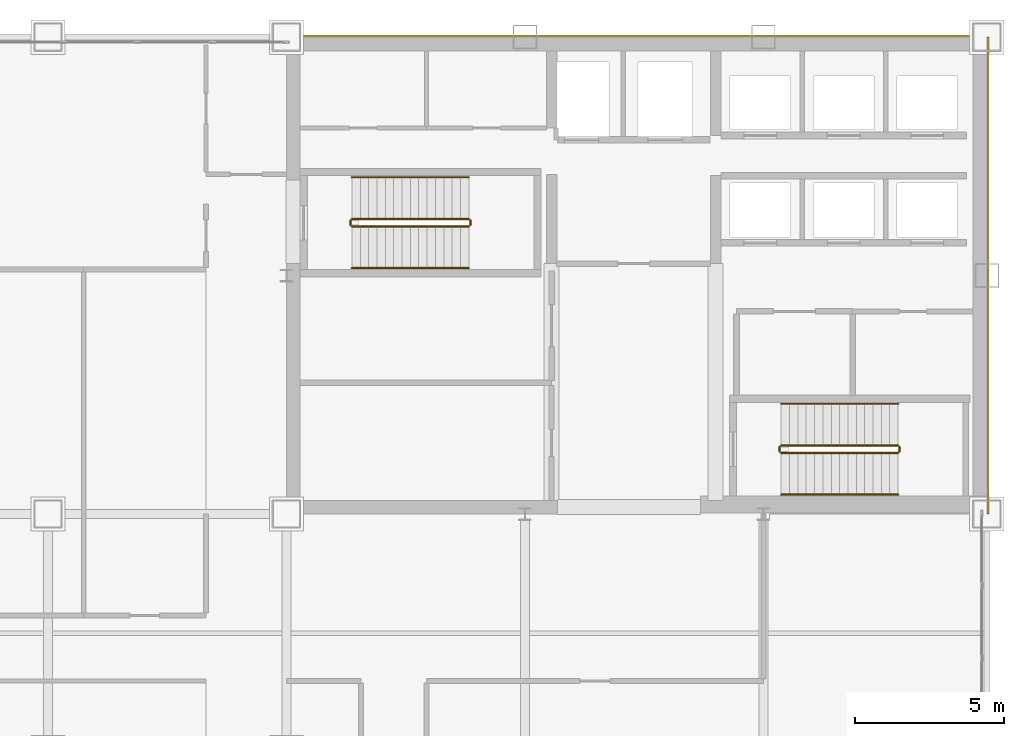
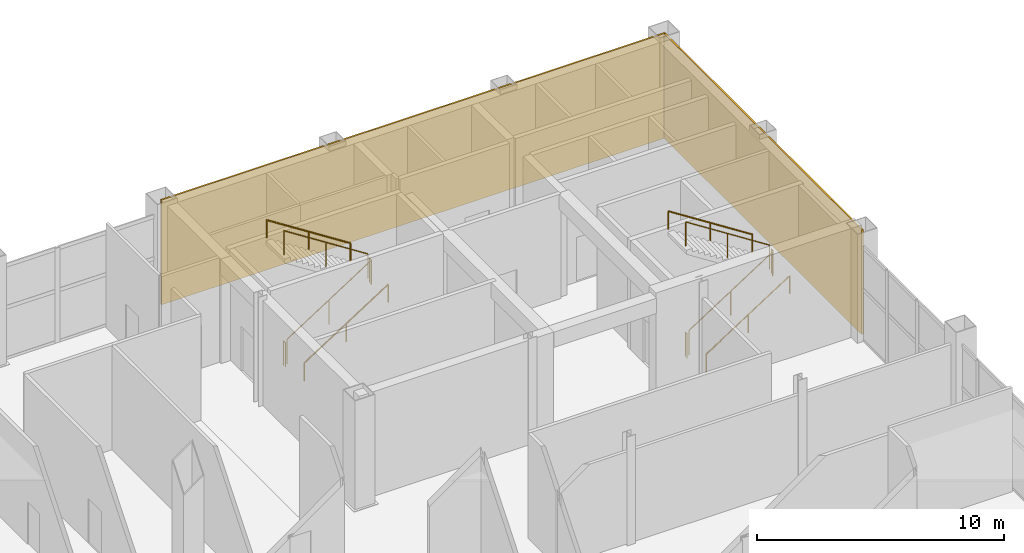
# One storey, part 21 of 21: 12 railings, 2 coverings.
"""IFC4 building model written with IfcOpenShell, lengths in metres."""

from ifc_helpers import new_model, si_unit, direction, frame, origin, origin_2d, place, context, subcontext, project, spatial, rectangle, circle, extrude, material, layer, layer_set, type_object, element, save


model = new_model("IFC4")

# Units and contexts
model_context = context("Model", 3, precision=1e-05, world=origin(), true_north=direction((0.0, 1.0)))
body_context = subcontext(model_context, "Body", "Model", "MODEL_VIEW")
ifc_project = project(units=[si_unit("LENGTHUNIT", "METRE"), si_unit("AREAUNIT", "SQUARE_METRE"), si_unit("VOLUMEUNIT", "CUBIC_METRE"), si_unit("PLANEANGLEUNIT", "RADIAN"), si_unit("MASSUNIT", "GRAM", prefix="KILO")], contexts=[model_context])

# Site, building, storey
site_placement = place(None, origin())
site = spatial("IfcSite", under=ifc_project, at=site_placement, CompositionType="ELEMENT")
building_placement = place(site_placement, origin())
building = spatial("IfcBuilding", under=site, at=building_placement, Name="Qianrong Seaharbour Tower", CompositionType="ELEMENT")
storey_placement = place(building_placement, frame((0.0, 0.0, 200.39990234375)))
storey = spatial("IfcBuildingStorey", under=building, at=storey_placement, Name="L48", CompositionType="ELEMENT", Elevation=200.39990234375)

# Coverings
ifc_material_1 = material(Name="Unitised red brick cladding on Precast concrete C45/55", Category="masonry")
ifc_layer = layer(ifc_material_1, 0.080078125)
ifc_layer_set = layer_set([ifc_layer], Name="Unitised red brick cladding on Precast concrete C45/55")
covering_type = type_object("IfcCoveringType", Name="COV-CLAD-RED-BRICK-80", PredefinedType="CLADDING", material=ifc_layer_set)
covering_1_placement = place(storey_placement, frame((52.2900390625, 52.0400390625, 0.0), z_axis=(0.0, 0.0, 1.0), x_axis=(1.0, 0.0, 0.0)))
element("IfcCovering", 1, at=covering_1_placement, inside=storey, type_object=covering_type, Name="L48 North Core Brick Veneer Cladding", PredefinedType="CLADDING", context=body_context, shape_type="SweptSolid", body=[
    extrude(rectangle(XDim=23.580078125, YDim=0.080078125, at=origin_2d()), origin(), (0.0, 0.0, 1.0), 5.175048828125),
])
covering_2_placement = place(storey_placement, frame((64.0400390625, 44.0, 0.0), z_axis=(0.0, 0.0, 1.0), x_axis=(1.0, 0.0, 0.0)))
element("IfcCovering", 2, at=covering_2_placement, inside=storey, type_object=covering_type, Name="L48 East Core Brick Veneer Cladding", PredefinedType="CLADDING", context=body_context, shape_type="SweptSolid", body=[
    extrude(rectangle(XDim=0.080078125, YDim=16.0, at=origin_2d()), origin(), (0.0, 0.0, 1.0), 5.175048828125),
])

# Railings
ifc_material_2 = material(Name="Galvanized painted steel SN400B stair guard", Category="steel")
railing_type_1 = type_object("IfcRailingType", Name="RAIL-STAIR-GUARD-1220", PredefinedType="GUARDRAIL", material=ifc_material_2)
railing_1_placement = place(storey_placement, frame((42.699951171875, 45.64990234375, 0.18017578125)))
element("IfcRailing", 3, at=railing_1_placement, inside=storey, type_object=railing_type_1, Name="L48 ST-1 stair guard 1", PredefinedType="GUARDRAIL", context=body_context, shape_type="SweptSolid", body=[
    extrude(circle(Radius=0.02392578125, at=origin_2d()), frame((0.0, 0.0, 1.19580078125), z_axis=(0.841186985886, 0.0, 0.540744352514), x_axis=(0.0, 1.0, 0.0)), (0.0, 0.0, 1.0), 4.660400390625),
    extrude(circle(Radius=0.02099609375, at=origin_2d()), origin(), (0.0, 0.0, 1.0), 1.171875),
    extrude(circle(Radius=0.02099609375, at=origin_2d()), frame((1.9599609375, 0.0, 1.260009765625)), (0.0, 0.0, 1.0), 1.171875),
    extrude(circle(Radius=0.02099609375, at=origin_2d()), frame((3.920166015625, 0.0, 2.52001953125)), (0.0, 0.0, 1.0), 1.171875),
])
railing_2_placement = place(storey_placement, frame((46.669921875, 45.699951171875, 2.7001953125)))
element("IfcRailing", 4, at=railing_2_placement, inside=storey, type_object=railing_type_1, Name="L48 ST-1 stair guard 2", PredefinedType="GUARDRAIL", context=body_context, shape_type="SweptSolid", body=[
    extrude(circle(Radius=0.02392578125, at=origin_2d()), frame((0.0, 0.0, 1.19580078125), z_axis=(0.0, 1.0, 0.0), x_axis=(-1.0, 0.0, 0.0)), (0.0, 0.0, 1.0), 0.150146484375),
    extrude(circle(Radius=0.02099609375, at=origin_2d()), origin(), (0.0, 0.0, 1.0), 1.171875),
    extrude(circle(Radius=0.02099609375, at=origin_2d()), frame((0.0, 0.150146484375, 0.0)), (0.0, 0.0, 1.0), 1.171875),
])
railing_3_placement = place(storey_placement, frame((46.6201171875, 45.89990234375, 2.880126953125)))
element("IfcRailing", 5, at=railing_3_placement, inside=storey, type_object=railing_type_1, Name="L48 ST-1 stair guard 3", PredefinedType="GUARDRAIL", context=body_context, shape_type="SweptSolid", body=[
    extrude(circle(Radius=0.02392578125, at=origin_2d()), frame((0.0, 0.0, 1.19580078125), z_axis=(-0.841186985886, 0.0, 0.540744352514), x_axis=(0.0, -1.0, 0.0)), (0.0, 0.0, 1.0), 4.660400390625),
    extrude(circle(Radius=0.02099609375, at=origin_2d()), origin(), (0.0, 0.0, 1.0), 1.171875),
    extrude(circle(Radius=0.02099609375, at=origin_2d()), frame((-1.9599609375, 0.0, 1.260009765625)), (0.0, 0.0, 1.0), 1.171875),
    extrude(circle(Radius=0.02099609375, at=origin_2d()), frame((-3.920166015625, 0.0, 2.52001953125)), (0.0, 0.0, 1.0), 1.171875),
])
railing_4_placement = place(storey_placement, frame((42.64990234375, 45.699951171875, 0.0)))
element("IfcRailing", 6, at=railing_4_placement, inside=storey, type_object=railing_type_1, Name="L48 ST-1 stair guard 4", PredefinedType="GUARDRAIL", context=body_context, shape_type="SweptSolid", body=[
    extrude(circle(Radius=0.02392578125, at=origin_2d()), frame((0.0, 0.0, 1.19580078125), z_axis=(0.0, 1.0, 0.0), x_axis=(-1.0, 0.0, 0.0)), (0.0, 0.0, 1.0), 0.150146484375),
    extrude(circle(Radius=0.02099609375, at=origin_2d()), origin(), (0.0, 0.0, 1.0), 1.171875),
    extrude(circle(Radius=0.02099609375, at=origin_2d()), frame((0.0, 0.150146484375, 0.0)), (0.0, 0.0, 1.0), 1.171875),
])
railing_5_placement = place(storey_placement, frame((57.10009765625, 38.050048828125, 0.18017578125)))
element("IfcRailing", 7, at=railing_5_placement, inside=storey, type_object=railing_type_1, Name="L48 ST-2 stair guard 1", PredefinedType="GUARDRAIL", context=body_context, shape_type="SweptSolid", body=[
    extrude(circle(Radius=0.02392578125, at=origin_2d()), frame((0.0, 0.0, 1.19580078125), z_axis=(0.841171666519, 0.0, 0.540768182723), x_axis=(0.0, 1.0, 0.0)), (0.0, 0.0, 1.0), 4.66015625),
    extrude(circle(Radius=0.02099609375, at=origin_2d()), origin(), (0.0, 0.0, 1.0), 1.171875),
    extrude(circle(Radius=0.02099609375, at=origin_2d()), frame((1.9599609375, 0.0, 1.260009765625)), (0.0, 0.0, 1.0), 1.171875),
    extrude(circle(Radius=0.02099609375, at=origin_2d()), frame((3.919921875, 0.0, 2.52001953125)), (0.0, 0.0, 1.0), 1.171875),
])
railing_6_placement = place(storey_placement, frame((61.070068359375, 38.10009765625, 2.7001953125)))
element("IfcRailing", 8, at=railing_6_placement, inside=storey, type_object=railing_type_1, Name="L48 ST-2 stair guard 2", PredefinedType="GUARDRAIL", context=body_context, shape_type="SweptSolid", body=[
    extrude(circle(Radius=0.02392578125, at=origin_2d()), frame((0.0, 0.0, 1.19580078125), z_axis=(0.0, 1.0, 0.0), x_axis=(-1.0, 0.0, 0.0)), (0.0, 0.0, 1.0), 0.14990234375),
    extrude(circle(Radius=0.02099609375, at=origin_2d()), origin(), (0.0, 0.0, 1.0), 1.171875),
    extrude(circle(Radius=0.02099609375, at=origin_2d()), frame((0.0, 0.14990234375, 0.0)), (0.0, 0.0, 1.0), 1.171875),
])
railing_7_placement = place(storey_placement, frame((61.02001953125, 38.300048828125, 2.880126953125)))
element("IfcRailing", 9, at=railing_7_placement, inside=storey, type_object=railing_type_1, Name="L48 ST-2 stair guard 3", PredefinedType="GUARDRAIL", context=body_context, shape_type="SweptSolid", body=[
    extrude(circle(Radius=0.02392578125, at=origin_2d()), frame((0.0, 0.0, 1.19580078125), z_axis=(-0.841171666519, 0.0, 0.540768182723), x_axis=(0.0, -1.0, 0.0)), (0.0, 0.0, 1.0), 4.66015625),
    extrude(circle(Radius=0.02099609375, at=origin_2d()), origin(), (0.0, 0.0, 1.0), 1.171875),
    extrude(circle(Radius=0.02099609375, at=origin_2d()), frame((-1.9599609375, 0.0, 1.260009765625)), (0.0, 0.0, 1.0), 1.171875),
    extrude(circle(Radius=0.02099609375, at=origin_2d()), frame((-3.919921875, 0.0, 2.52001953125)), (0.0, 0.0, 1.0), 1.171875),
])
railing_8_placement = place(storey_placement, frame((57.050048828125, 38.10009765625, 0.0)))
element("IfcRailing", 10, at=railing_8_placement, inside=storey, type_object=railing_type_1, Name="L48 ST-2 stair guard 4", PredefinedType="GUARDRAIL", context=body_context, shape_type="SweptSolid", body=[
    extrude(circle(Radius=0.02392578125, at=origin_2d()), frame((0.0, 0.0, 1.19580078125), z_axis=(0.0, 1.0, 0.0), x_axis=(-1.0, 0.0, 0.0)), (0.0, 0.0, 1.0), 0.14990234375),
    extrude(circle(Radius=0.02099609375, at=origin_2d()), origin(), (0.0, 0.0, 1.0), 1.171875),
    extrude(circle(Radius=0.02099609375, at=origin_2d()), frame((0.0, 0.14990234375, 0.0)), (0.0, 0.0, 1.0), 1.171875),
])
ifc_material_3 = material(Name="Stainless steel SUS316L continuous handrail", Category="steel")
railing_type_2 = type_object("IfcRailingType", Name="RAIL-STAIR-HANDRAIL-900", PredefinedType="HANDRAIL", material=ifc_material_3)
railing_9_placement = place(storey_placement, frame((42.699951171875, 44.25, 0.18017578125)))
element("IfcRailing", 11, at=railing_9_placement, inside=storey, type_object=railing_type_2, Name="L48 ST-1 stair handrail 1", PredefinedType="HANDRAIL", context=body_context, shape_type="SweptSolid", body=[
    extrude(circle(Radius=0.02392578125, at=origin_2d()), frame((0.0, 0.0, 0.8759765625), z_axis=(0.841186985886, 0.0, 0.540744352514), x_axis=(0.0, 1.0, 0.0)), (0.0, 0.0, 1.0), 4.660400390625),
    extrude(circle(Radius=0.02099609375, at=origin_2d()), origin(), (0.0, 0.0, 1.0), 0.851806640625),
    extrude(circle(Radius=0.02099609375, at=origin_2d()), frame((1.9599609375, 0.0, 1.260009765625)), (0.0, 0.0, 1.0), 0.851806640625),
    extrude(circle(Radius=0.02099609375, at=origin_2d()), frame((3.920166015625, 0.0, 2.52001953125)), (0.0, 0.0, 1.0), 0.851806640625),
])
railing_10_placement = place(storey_placement, frame((46.6201171875, 47.300048828125, 2.880126953125)))
element("IfcRailing", 12, at=railing_10_placement, inside=storey, type_object=railing_type_2, Name="L48 ST-1 stair handrail 2", PredefinedType="HANDRAIL", context=body_context, shape_type="SweptSolid", body=[
    extrude(circle(Radius=0.02392578125, at=origin_2d()), frame((0.0, 0.0, 0.8759765625), z_axis=(-0.841186985886, 0.0, 0.540744352514), x_axis=(0.0, -1.0, 0.0)), (0.0, 0.0, 1.0), 4.660400390625),
    extrude(circle(Radius=0.02099609375, at=origin_2d()), origin(), (0.0, 0.0, 1.0), 0.851806640625),
    extrude(circle(Radius=0.02099609375, at=origin_2d()), frame((-1.9599609375, 0.0, 1.260009765625)), (0.0, 0.0, 1.0), 0.851806640625),
    extrude(circle(Radius=0.02099609375, at=origin_2d()), frame((-3.920166015625, 0.0, 2.52001953125)), (0.0, 0.0, 1.0), 0.851806640625),
])
railing_11_placement = place(storey_placement, frame((57.10009765625, 36.64990234375, 0.18017578125)))
element("IfcRailing", 13, at=railing_11_placement, inside=storey, type_object=railing_type_2, Name="L48 ST-2 stair handrail 1", PredefinedType="HANDRAIL", context=body_context, shape_type="SweptSolid", body=[
    extrude(circle(Radius=0.02392578125, at=origin_2d()), frame((0.0, 0.0, 0.8759765625), z_axis=(0.841171666519, 0.0, 0.540768182723), x_axis=(0.0, 1.0, 0.0)), (0.0, 0.0, 1.0), 4.66015625),
    extrude(circle(Radius=0.02099609375, at=origin_2d()), origin(), (0.0, 0.0, 1.0), 0.851806640625),
    extrude(circle(Radius=0.02099609375, at=origin_2d()), frame((1.9599609375, 0.0, 1.260009765625)), (0.0, 0.0, 1.0), 0.851806640625),
    extrude(circle(Radius=0.02099609375, at=origin_2d()), frame((3.919921875, 0.0, 2.52001953125)), (0.0, 0.0, 1.0), 0.851806640625),
])
railing_12_placement = place(storey_placement, frame((61.02001953125, 39.699951171875, 2.880126953125)))
element("IfcRailing", 14, at=railing_12_placement, inside=storey, type_object=railing_type_2, Name="L48 ST-2 stair handrail 2", PredefinedType="HANDRAIL", context=body_context, shape_type="SweptSolid", body=[
    extrude(circle(Radius=0.02392578125, at=origin_2d()), frame((0.0, 0.0, 0.8759765625), z_axis=(-0.841171666519, 0.0, 0.540768182723), x_axis=(0.0, -1.0, 0.0)), (0.0, 0.0, 1.0), 4.66015625),
    extrude(circle(Radius=0.02099609375, at=origin_2d()), origin(), (0.0, 0.0, 1.0), 0.851806640625),
    extrude(circle(Radius=0.02099609375, at=origin_2d()), frame((-1.9599609375, 0.0, 1.260009765625)), (0.0, 0.0, 1.0), 0.851806640625),
    extrude(circle(Radius=0.02099609375, at=origin_2d()), frame((-3.919921875, 0.0, 2.52001953125)), (0.0, 0.0, 1.0), 0.851806640625),
])

save(model, "model.ifc")
